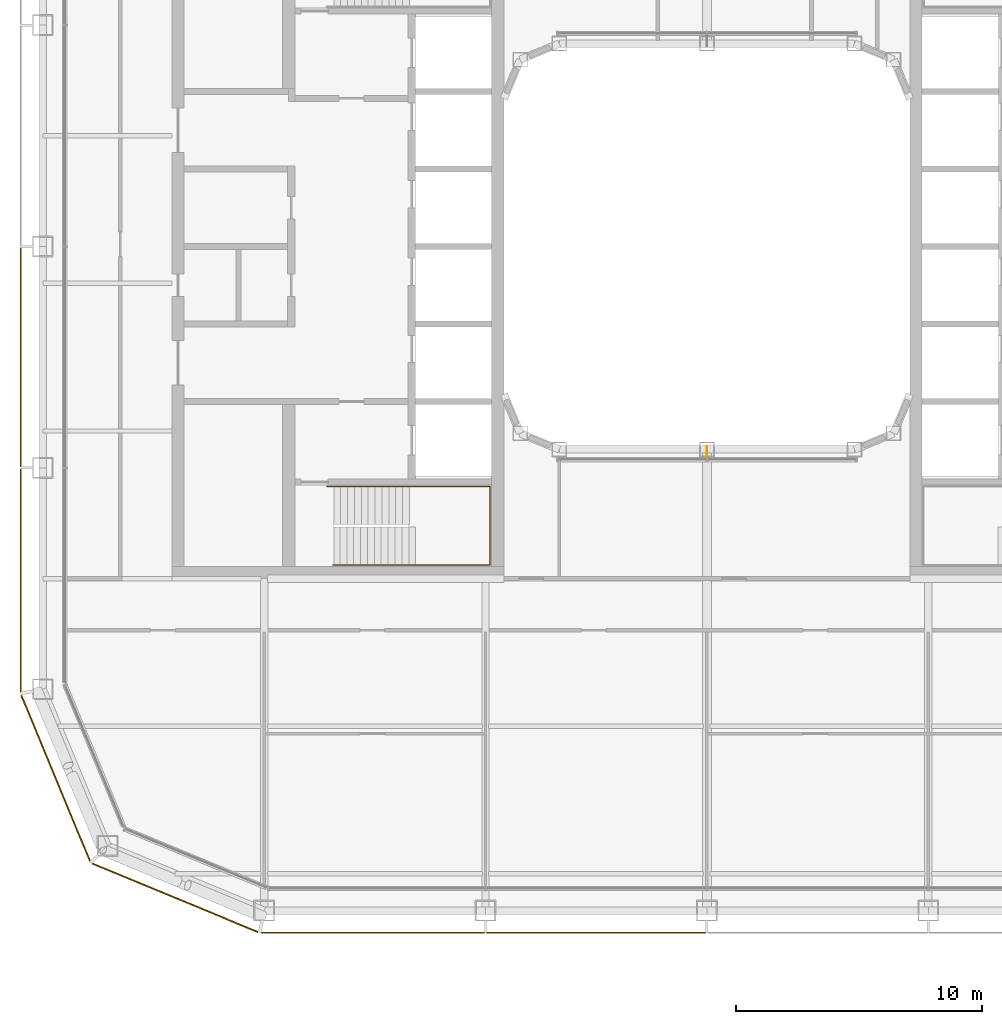
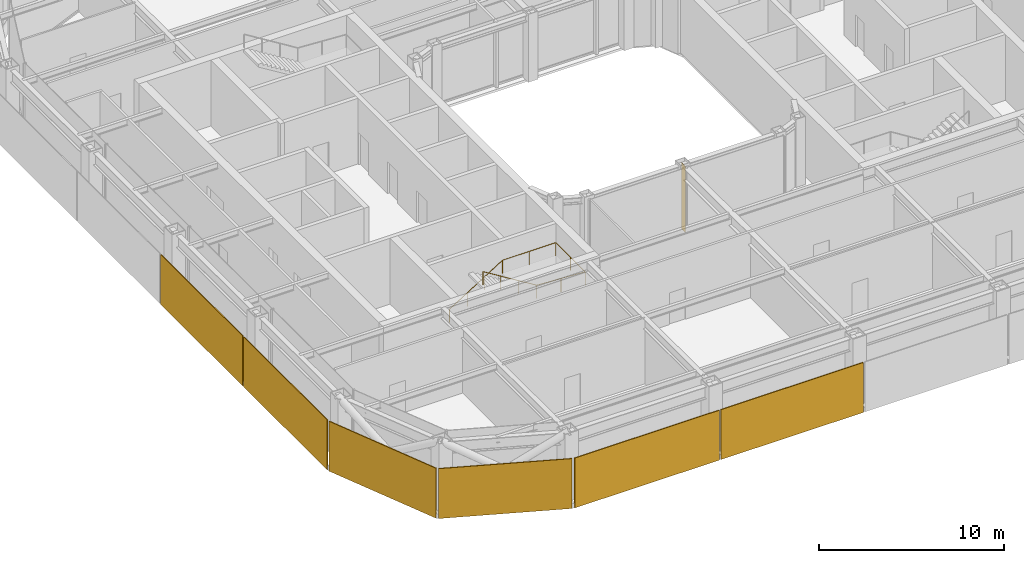
# One storey, part 18 of 22: 6 coverings, 1 railing, 1 shading device.
"""IFC4 building model written with IfcOpenShell, lengths in metres."""

from ifc_helpers import new_model, si_unit, direction, frame, origin, origin_2d, place, context, subcontext, project, spatial, rectangle, circle, extrude, material, layer, layer_set, type_object, element, save


model = new_model("IFC4")

# Units and contexts
model_context = context("Model", 3, precision=1e-05, world=origin(), true_north=direction((0.0, 1.0)))
body_context = subcontext(model_context, "Body", "Model", "MODEL_VIEW")
ifc_project = project(units=[si_unit("LENGTHUNIT", "METRE"), si_unit("AREAUNIT", "SQUARE_METRE"), si_unit("VOLUMEUNIT", "CUBIC_METRE"), si_unit("PLANEANGLEUNIT", "RADIAN"), si_unit("MASSUNIT", "GRAM", prefix="KILO")], contexts=[model_context])

# Site, building, storey
site_placement = place(None, origin())
site = spatial("IfcSite", under=ifc_project, at=site_placement, CompositionType="ELEMENT")
building_placement = place(site_placement, origin())
building = spatial("IfcBuilding", under=site, at=building_placement, Name="Siwar Civic Tower", CompositionType="ELEMENT")
storey_placement = place(building_placement, frame((0.0, 0.0, 201.699951171875)))
storey = spatial("IfcBuildingStorey", under=building, at=storey_placement, Name="L43", CompositionType="ELEMENT", Elevation=201.699951171875)

# Railing
ifc_material_1 = material(Name="Stainless steel", Category="steel")
railing_type = type_object("IfcRailingType", Name="CORE-STAIR-HANDRAIL", PredefinedType="HANDRAIL", material=ifc_material_1)
railing_placement = place(storey_placement, frame((-15.449951171875, -9.758056640625, 0.173095703125)))
element("IfcRailing", 1, at=railing_placement, inside=storey, type_object=railing_type, Name="Stair handrail ST2", PredefinedType="HANDRAIL", context=body_context, shape_type="SweptSolid", body=[
    extrude(circle(Radius=0.02001953125, at=origin_2d()), frame((0.0, 0.0, 0.8798828125), z_axis=(0.847063342986, 0.0, 0.531491950051), x_axis=(0.0, 1.0, 0.0)), (0.0, 0.0, 1.0), 3.90771484375),
    extrude(circle(Radius=0.02001953125, at=origin_2d()), frame((3.31005859375, 0.0, 2.956787109375), z_axis=(1.0, 0.0, 0.0), x_axis=(0.0, 1.0, 0.0)), (0.0, 0.0, 1.0), 3.331787109375),
    extrude(circle(Radius=0.02001953125, at=origin_2d()), frame((6.641845703125, 0.0, 2.956787109375), z_axis=(0.0, -1.0, 0.0), x_axis=(1.0, 0.0, 0.0)), (0.0, 0.0, 1.0), 3.183837890625),
    extrude(circle(Radius=0.02001953125, at=origin_2d()), frame((6.641845703125, -3.183837890625, 2.956787109375), z_axis=(-0.99837434197, 0.0, 0.056997134106), x_axis=(0.0, -1.0, 0.0)), (0.0, 0.0, 1.0), 3.036865234375),
    extrude(circle(Radius=0.02001953125, at=origin_2d()), frame((3.60986328125, -3.183837890625, 3.1298828125), z_axis=(-0.850606129759, 0.0, 0.525803396734), x_axis=(0.0, -1.0, 0.0)), (0.0, 0.0, 1.0), 3.949951171875),
    extrude(circle(Radius=0.02001953125, at=origin_2d()), origin(), (0.0, 0.0, 1.0), 0.85986328125),
    extrude(circle(Radius=0.02001953125, at=origin_2d()), frame((1.103271484375, 0.0, 0.6923828125)), (0.0, 0.0, 1.0), 0.85986328125),
    extrude(circle(Radius=0.02001953125, at=origin_2d()), frame((2.206787109375, 0.0, 1.384521484375)), (0.0, 0.0, 1.0), 0.85986328125),
    extrude(circle(Radius=0.02001953125, at=origin_2d()), frame((3.31005859375, 0.0, 2.076904296875)), (0.0, 0.0, 1.0), 0.85986328125),
    extrude(circle(Radius=0.02001953125, at=origin_2d()), frame((4.97607421875, 0.0, 2.076904296875)), (0.0, 0.0, 1.0), 0.85986328125),
    extrude(circle(Radius=0.02001953125, at=origin_2d()), frame((6.641845703125, 0.0, 2.076904296875)), (0.0, 0.0, 1.0), 0.85986328125),
    extrude(circle(Radius=0.02001953125, at=origin_2d()), frame((6.641845703125, -1.591796875, 2.076904296875)), (0.0, 0.0, 1.0), 0.85986328125),
    extrude(circle(Radius=0.02001953125, at=origin_2d()), frame((6.641845703125, -3.183837890625, 2.076904296875)), (0.0, 0.0, 1.0), 0.85986328125),
    extrude(circle(Radius=0.02001953125, at=origin_2d()), frame((5.1259765625, -3.183837890625, 2.16357421875)), (0.0, 0.0, 1.0), 0.85986328125),
    extrude(circle(Radius=0.02001953125, at=origin_2d()), frame((3.60986328125, -3.183837890625, 2.25)), (0.0, 0.0, 1.0), 0.85986328125),
    extrude(circle(Radius=0.02001953125, at=origin_2d()), frame((2.489990234375, -3.183837890625, 2.9423828125)), (0.0, 0.0, 1.0), 0.85986328125),
    extrude(circle(Radius=0.02001953125, at=origin_2d()), frame((1.369873046875, -3.183837890625, 3.634521484375)), (0.0, 0.0, 1.0), 0.85986328125),
    extrude(circle(Radius=0.02001953125, at=origin_2d()), frame((0.25, -3.183837890625, 4.326904296875)), (0.0, 0.0, 1.0), 0.85986328125),
])

# Shading device
ifc_material_2 = material(Name="Aluminium 6063-T6", Category="aluminium")
ifc_layer_1 = layer(ifc_material_2, 0.02001953125)
ifc_layer_set_1 = layer_set([ifc_layer_1], Name="Aluminium 6063-T6")
shading_device_type = type_object("IfcShadingDeviceType", Name="ENV-FIN", PredefinedType="JALOUSIE", material=ifc_layer_set_1)
shading_device_placement = place(storey_placement, frame((0.0, -8.344970703125, 0.0), z_axis=(0.0, 0.0, 1.0), x_axis=(1.0, 0.0, 0.0)))
element("IfcShadingDevice", 2, at=shading_device_placement, inside=storey, type_object=shading_device_type, Name="SUNSHADE fin WS 1", PredefinedType="JALOUSIE", context=body_context, shape_type="SweptSolid", body=[
    extrude(rectangle(XDim=0.02001953125, YDim=0.449951171875, at=origin_2d()), origin(), (0.0, 0.0, 1.0), 4.35009765625),
])

# Coverings
ifc_material_3 = material(Name="Perforated aluminium cassette, pale metal", Category="aluminium")
ifc_layer_2 = layer(ifc_material_3, 0.050048828125)
ifc_layer_set_2 = layer_set([ifc_layer_2], Name="Perforated aluminium cassette, pale metal")
covering_type_1 = type_object("IfcCoveringType", Name="ENV-OUTER SKIN OS-3", PredefinedType="CLADDING", material=ifc_layer_set_2)
covering_1_placement = place(storey_placement, frame((-27.89990234375, -4.5, -0.14990234375), z_axis=(0.0, 0.0, 1.0), x_axis=(0.0, -1.0, 0.0)))
element("IfcCovering", 3, at=covering_1_placement, inside=storey, type_object=covering_type_1, Name="OUTER SKIN OS-3 W 3", PredefinedType="CLADDING", context=body_context, shape_type="SweptSolid", body=[
    extrude(rectangle(XDim=8.89990234375, YDim=0.050048828125, at=origin_2d()), origin(), (0.0, 0.0, 1.0), 3.300048828125),
])
covering_2_placement = place(storey_placement, frame((-27.89990234375, -13.57958984375, -0.14990234375), z_axis=(0.0, 0.0, 1.0), x_axis=(0.0, -1.0, 0.0)))
element("IfcCovering", 4, at=covering_2_placement, inside=storey, type_object=covering_type_1, Name="OUTER SKIN OS-3 W 4", PredefinedType="CLADDING", context=body_context, shape_type="SweptSolid", body=[
    extrude(rectangle(XDim=9.05908203125, YDim=0.050048828125, at=origin_2d()), origin(), (0.0, 0.0, 1.0), 3.300048828125),
])
ifc_material_4 = material(Name="Perforated aluminium cassette, pale metal", Category="aluminium")
ifc_layer_3 = layer(ifc_material_4, 0.054931640625)
ifc_layer_set_3 = layer_set([ifc_layer_3], Name="Perforated aluminium cassette, pale metal")
covering_type_2 = type_object("IfcCoveringType", Name="ENV-OUTER SKIN OS-4", PredefinedType="CLADDING", material=ifc_layer_set_3)
covering_3_placement = place(storey_placement, frame((-13.57958984375, -27.89990234375, -0.14990234375), z_axis=(0.0, 0.0, 1.0), x_axis=(1.0, 0.0, 0.0)))
element("IfcCovering", 5, at=covering_3_placement, inside=storey, type_object=covering_type_2, Name="OUTER SKIN OS-4 S 1", PredefinedType="CLADDING", context=body_context, shape_type="SweptSolid", body=[
    extrude(rectangle(XDim=9.05908203125, YDim=0.054931640625, at=origin_2d()), origin(), (0.0, 0.0, 1.0), 3.300048828125),
])
covering_4_placement = place(storey_placement, frame((-4.5, -27.89990234375, -0.14990234375), z_axis=(0.0, 0.0, 1.0), x_axis=(1.0, 0.0, 0.0)))
element("IfcCovering", 6, at=covering_4_placement, inside=storey, type_object=covering_type_2, Name="OUTER SKIN OS-4 S 2", PredefinedType="CLADDING", context=body_context, shape_type="SweptSolid", body=[
    extrude(rectangle(XDim=8.89990234375, YDim=0.054931640625, at=origin_2d()), origin(), (0.0, 0.0, 1.0), 3.300048828125),
])
for number, where, z_axis, x_axis, name in (
    (7, (-26.476318359375, -21.615966796875, -0.14990234375), (0.0, 0.0, 1.0), (0.382683432365, -0.923879532511, 0.0), "OUTER SKIN OS-4 SW1 1"),
    (8, (-21.615966796875, -26.476318359375, -0.14990234375), (0.0, 0.0, 1.0), (0.923879532511, -0.382683432365, 0.0), "OUTER SKIN OS-4 SW2 1"),
):
    element("IfcCovering", number, at=place(storey_placement, frame(where, z_axis=z_axis, x_axis=x_axis)), inside=storey, type_object=covering_type_2, Name=name, PredefinedType="CLADDING", context=body_context, shape_type="SweptSolid", body=[
        extrude(rectangle(XDim=7.300048828125, YDim=0.054931640625, at=origin_2d()), origin(), (0.0, 0.0, 1.0), 3.300048828125),
    ])

save(model, "model.ifc")
